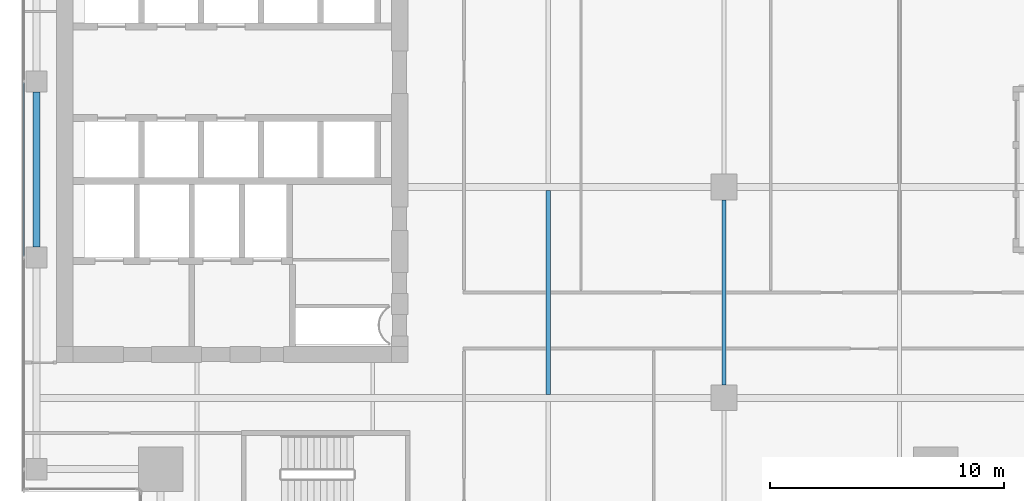
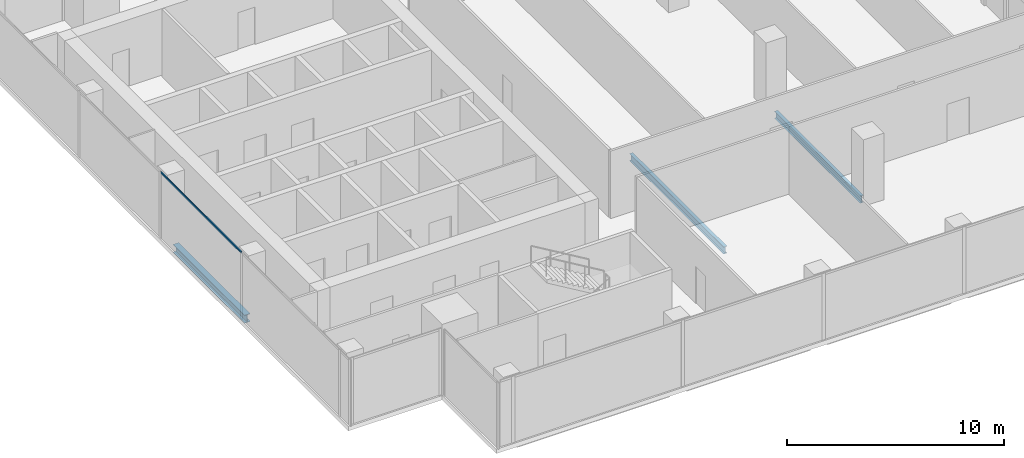
# One storey, part 7 of 35: 3 beams, 1 member, 1 element without a shape of its own.
"""IFC4 building model written with IfcOpenShell, lengths in metres."""

from ifc_helpers import new_model, si_unit, direction, frame, origin, origin_2d, place, context, subcontext, project, spatial, hollow_rectangle, i_section, extrude, source, transform, mapped, material, material_profile, profile_set, type_object, element, aggregate, save


model = new_model("IFC4")

# Units and contexts
model_context = context("Model", 3, precision=1e-05, world=origin(), true_north=direction((0.0, 1.0)))
body_context = subcontext(model_context, "Body", "Model", "MODEL_VIEW")
ifc_project = project(units=[si_unit("LENGTHUNIT", "METRE"), si_unit("AREAUNIT", "SQUARE_METRE"), si_unit("VOLUMEUNIT", "CUBIC_METRE"), si_unit("PLANEANGLEUNIT", "RADIAN"), si_unit("MASSUNIT", "GRAM", prefix="KILO")], contexts=[model_context])

# Site, building, storey
site_placement = place(None, origin())
site = spatial("IfcSite", under=ifc_project, at=site_placement, CompositionType="ELEMENT")
building_placement = place(site_placement, origin())
building = spatial("IfcBuilding", under=site, at=building_placement, Name="Khomas Fold Tower", CompositionType="ELEMENT")
storey_placement = place(building_placement, frame((0.0, 0.0, 262.199951171875)))
storey = spatial("IfcBuildingStorey", under=building, at=storey_placement, Name="L59", CompositionType="ELEMENT", Elevation=262.199951171875)

# Beams
ifc_material_1 = material(Name="Steel S355", Category="steel")
ifc_material_profile_1 = material_profile(ifc_material_1, i_section(OverallWidth=0.179931640625, OverallDepth=0.39990234375, WebThickness=0.008544921875, FlangeThickness=0.013427734375, at=origin_2d()), Name="IPE 400")
ifc_profile_set_1 = profile_set([ifc_material_profile_1], Name="Steel S355")
beam_type_1 = type_object("IfcBeamType", Name="IPE 400 beam JB3", PredefinedType="BEAM", material=ifc_profile_set_1)
shared_shape_1 = source(origin(), body_context, "Body", "SweptSolid", [
    extrude(i_section(OverallWidth=0.179931640625, OverallDepth=0.39990234375, WebThickness=0.008544921875, FlangeThickness=0.013427734375, at=origin_2d()), origin(), (0.0, 0.0, 1.0), 8.7001953125),
])
beam_1_placement = place(storey_placement, frame((27.0, 13.64990234375, -0.449951171875), z_axis=(0.0, 1.0, 0.0), x_axis=(-1.0, 0.0, 0.0)))
element("IfcBeam", 1, at=beam_1_placement, inside=storey, type_object=beam_type_1, Name="JB3", PredefinedType="BEAM", context=body_context, shape_type="MappedRepresentation", body=[
    mapped(shared_shape_1, transform((0.0, 0.0, 0.0))),
])
ifc_material_2 = material(Name="Steel S355", Category="steel")
ifc_material_profile_2 = material_profile(ifc_material_2, i_section(OverallWidth=0.300048828125, OverallDepth=0.449951171875, WebThickness=0.013916015625, FlangeThickness=0.02587890625, at=origin_2d()), Name="HE 450 B")
ifc_profile_set_2 = profile_set([ifc_material_profile_2], Name="Steel S355")
beam_type_2 = type_object("IfcBeamType", Name="HE 450 B spandrel SB4", PredefinedType="SPANDREL", material=ifc_profile_set_2)
shared_shape_2 = source(origin(), body_context, "Body", "SweptSolid", [
    extrude(i_section(OverallWidth=0.300048828125, OverallDepth=0.449951171875, WebThickness=0.013916015625, FlangeThickness=0.02587890625, at=origin_2d()), origin(), (0.0, 0.0, 1.0), 6.60009765625),
])
beam_2_placement = place(storey_placement, frame((5.14990234375, 19.949951171875, -0.474853515625), z_axis=(0.0, 1.0, 0.0), x_axis=(-1.0, 0.0, 0.0)))
element("IfcBeam", 2, at=beam_2_placement, inside=storey, type_object=beam_type_2, Name="SB4", PredefinedType="SPANDREL", context=body_context, shape_type="MappedRepresentation", body=[
    mapped(shared_shape_2, transform((0.0, 0.0, 0.0))),
])
shared_shape_3 = source(origin(), body_context, "Body", "SweptSolid", [
    extrude(i_section(OverallWidth=0.179931640625, OverallDepth=0.39990234375, WebThickness=0.008544921875, FlangeThickness=0.013427734375, at=origin_2d()), origin(), (0.0, 0.0, 1.0), 7.89990234375),
])
beam_3_placement = place(storey_placement, frame((34.5, 14.050048828125, -0.449951171875), z_axis=(0.0, 1.0, 0.0), x_axis=(-1.0, 0.0, 0.0)))
element("IfcBeam", 3, at=beam_3_placement, inside=storey, type_object=beam_type_1, Name="JB3", PredefinedType="BEAM", context=body_context, shape_type="MappedRepresentation", body=[
    mapped(shared_shape_3, transform((0.0, 0.0, 0.0))),
])

# Curtain wall, member
ifc_material_3 = material(Name="Aluminium framed double glazing", Category="aluminium")
curtain_wall_type = type_object("IfcCurtainWallType", Name="SK-Unitised clear-glass wall, office floors CW2", PredefinedType="NOTDEFINED", material=ifc_material_3)
curtain_wall_placement = place(storey_placement, origin())
curtain_wall = element("IfcCurtainWall", 4, at=curtain_wall_placement, inside=storey, type_object=curtain_wall_type, Name="CW2 run L59 09-0", PredefinedType="NOTDEFINED")
ifc_material_4 = material(Name="Aluminium", Category="aluminium")
ifc_material_profile_3 = material_profile(ifc_material_4, hollow_rectangle(XDim=0.050048828125, YDim=0.110107421875, WallThickness=0.00390625, at=origin_2d()), Name="SK-Unitised clear-glass wall, office floors transom CW2-T")
ifc_profile_set_3 = profile_set([ifc_material_profile_3], Name="Aluminium")
member_type = type_object("IfcMemberType", Name="SK-Unitised clear-glass wall, office floors transom CW2-T", PredefinedType="USERDEFINED", material=ifc_profile_set_3)
shared_shape_4 = source(origin(), body_context, "Body", "SweptSolid", [
    extrude(hollow_rectangle(XDim=0.050048828125, YDim=0.110107421875, WallThickness=0.00390625, at=origin_2d()), origin(), (0.0, 0.0, 1.0), 7.43994140625),
])
member_placement = place(storey_placement, frame((4.60009765625, 26.969970703125, 3.695068359375), z_axis=(0.0, -1.0, 0.0), x_axis=(1.0, 0.0, 0.0)))
member = element("IfcMember", 5, at=member_placement, type_object=member_type, Name="CW2 transom 4", ObjectType="TRANSOM", PredefinedType="USERDEFINED", context=body_context, shape_type="MappedRepresentation", body=[
    mapped(shared_shape_4, transform((0.0, 0.0, 0.0))),
])
aggregate(curtain_wall, [member])

save(model, "model.ifc")
